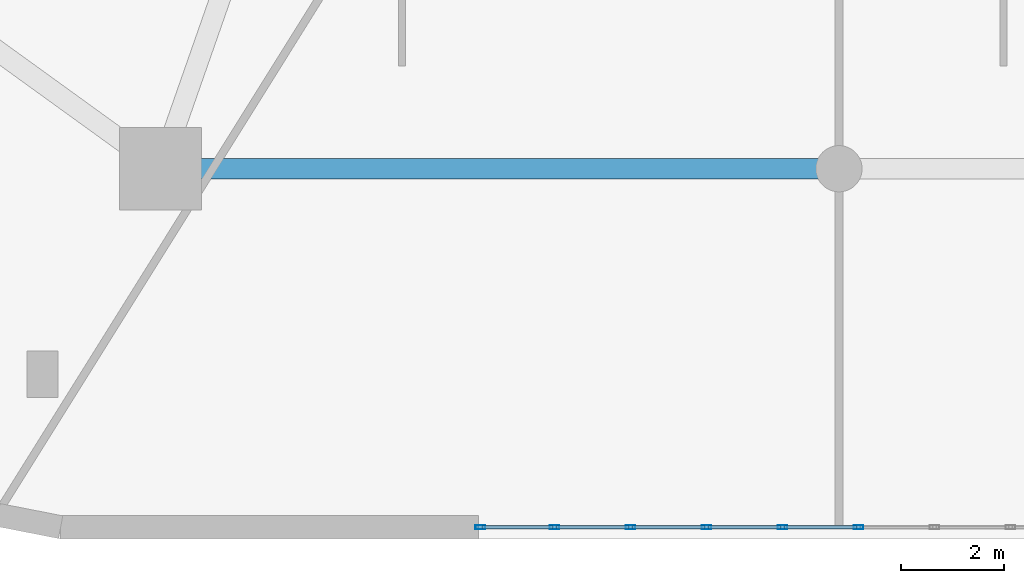
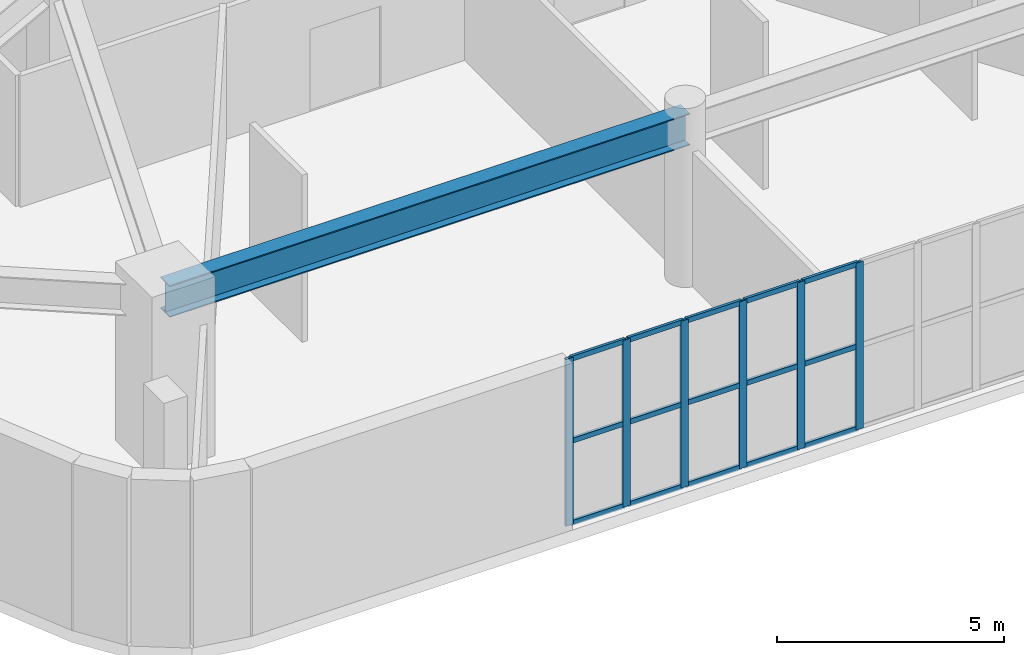
# One storey, part 4 of 17: 21 members, 1 beam, 1 element without a shape of its own.
"""IFC4 building model written with IfcOpenShell, lengths in metres."""

from ifc_helpers import new_model, si_unit, direction, frame, origin, origin_2d, place, context, subcontext, project, spatial, hollow_rectangle, i_section, extrude, material, layer, layer_set, material_profile, profile_set, type_object, element, aggregate, save


model = new_model("IFC4")

# Units and contexts
model_context = context("Model", 3, precision=1e-05, world=origin(), true_north=direction((0.0, 1.0)))
body_context = subcontext(model_context, "Body", "Model", "MODEL_VIEW")
ifc_project = project(units=[si_unit("LENGTHUNIT", "METRE"), si_unit("AREAUNIT", "SQUARE_METRE"), si_unit("VOLUMEUNIT", "CUBIC_METRE"), si_unit("PLANEANGLEUNIT", "RADIAN"), si_unit("MASSUNIT", "GRAM", prefix="KILO")], contexts=[model_context])

# Site, building, storey
site_placement = place(None, origin())
site = spatial("IfcSite", under=ifc_project, at=site_placement, CompositionType="ELEMENT")
building_placement = place(site_placement, origin())
building = spatial("IfcBuilding", under=site, at=building_placement, Name="Kilnhurst Terrace Hotel", CompositionType="ELEMENT")
storey_placement = place(building_placement, frame((0.0, 0.0, 18.60009765625)))
storey = spatial("IfcBuildingStorey", under=building, at=storey_placement, Name="L03", CompositionType="ELEMENT", Elevation=18.60009765625)

# Beam
ifc_material_1 = material(Name="Steel ASTM A992 Grade 50", Category="steel")
ifc_material_profile_1 = material_profile(ifc_material_1, i_section(OverallWidth=0.39990234375, OverallDepth=0.85546875, WebThickness=0.018310546875, FlangeThickness=0.029296875, at=origin_2d()), Name="W33X201")
ifc_profile_set_1 = profile_set([ifc_material_profile_1], Name="Steel ASTM A992 Grade 50")
beam_type = type_object("IfcBeamType", Name="BM-STL-W33X201", PredefinedType="BEAM", material=ifc_profile_set_1)
beam_placement = place(storey_placement, frame((-13.199951171875, -19.5, 4.0498046875), z_axis=(1.0, 0.0, 0.0), x_axis=(0.0, 1.0, 0.0)))
element("IfcBeam", 1, at=beam_placement, inside=storey, type_object=beam_type, Name="L03 Meeting Suite Frame Beam 1", PredefinedType="BEAM", context=body_context, shape_type="SweptSolid", body=[
    extrude(i_section(OverallWidth=0.39990234375, OverallDepth=0.85546875, WebThickness=0.018310546875, FlangeThickness=0.029296875, at=origin_2d()), origin(), (0.0, 0.0, 1.0), 13.199951171875),
])

# Curtain wall, members
ifc_material_2 = material(Name="Anodized Aluminium Alloy 6063-T6 and Low-E Glass", Category="aluminium")
ifc_layer = layer(ifc_material_2, 0.219970703125, Name="Anodized Aluminium Alloy 6063-T6 and Low-E Glass")
ifc_layer_set = layer_set([ifc_layer], Name="Anodized Aluminium Alloy 6063-T6 and Low-E Glass")
curtain_wall_type = type_object("IfcCurtainWallType", Name="CW-POD-TERR", PredefinedType="NOTDEFINED", material=ifc_layer_set)
curtain_wall_placement = place(storey_placement, origin())
curtain_wall = element("IfcCurtainWall", 2, at=curtain_wall_placement, inside=storey, type_object=curtain_wall_type, Name="L03 Curtain Wall CW-L03-F1-1", PredefinedType="NOTDEFINED")
ifc_material_3 = material(Name="Extruded Aluminium Alloy 6063-T6", Category="aluminium")
ifc_material_profile_2 = material_profile(ifc_material_3, hollow_rectangle(XDim=0.070068359375, YDim=0.18994140625, WallThickness=0.00390625, at=origin_2d()), Name="CWM70X190")
ifc_profile_set_2 = profile_set([ifc_material_profile_2], Name="Extruded Aluminium Alloy 6063-T6")
member_type_1 = type_object("IfcMemberType", Name="MEM-CWM70X190", PredefinedType="MULLION", material=ifc_profile_set_2)
member_1_placement = place(storey_placement, frame((-6.9775390625, -26.47509765625, 0.0), z_axis=(0.0, 0.0, 1.0), x_axis=(0.0, 1.0, 0.0)))
member_1 = element("IfcMember", 3, at=member_1_placement, type_object=member_type_1, Name="CWT-2 mullion 1", PredefinedType="MULLION", context=body_context, shape_type="SweptSolid", body=[
    extrude(hollow_rectangle(XDim=0.070068359375, YDim=0.18994140625, WallThickness=0.00390625, at=origin_2d()), origin(), (0.0, 0.0, 1.0), 4.47998046875),
])
member_2_placement = place(storey_placement, frame((-5.533935546875, -26.47509765625, 0.0), z_axis=(0.0, 0.0, 1.0), x_axis=(0.0, 1.0, 0.0)))
member_2 = element("IfcMember", 4, at=member_2_placement, type_object=member_type_1, Name="CWT-2 mullion 2", PredefinedType="MULLION", context=body_context, shape_type="SweptSolid", body=[
    extrude(hollow_rectangle(XDim=0.070068359375, YDim=0.18994140625, WallThickness=0.00390625, at=origin_2d()), origin(), (0.0, 0.0, 1.0), 4.47998046875),
])
member_3_placement = place(storey_placement, frame((-4.05517578125, -26.47509765625, 0.0), z_axis=(0.0, 0.0, 1.0), x_axis=(0.0, 1.0, 0.0)))
member_3 = element("IfcMember", 5, at=member_3_placement, type_object=member_type_1, Name="CWT-2 mullion 3", PredefinedType="MULLION", context=body_context, shape_type="SweptSolid", body=[
    extrude(hollow_rectangle(XDim=0.070068359375, YDim=0.18994140625, WallThickness=0.00390625, at=origin_2d()), origin(), (0.0, 0.0, 1.0), 4.47998046875),
])
member_4_placement = place(storey_placement, frame((-2.576416015625, -26.47509765625, 0.0), z_axis=(0.0, 0.0, 1.0), x_axis=(0.0, 1.0, 0.0)))
member_4 = element("IfcMember", 6, at=member_4_placement, type_object=member_type_1, Name="CWT-2 mullion 4", PredefinedType="MULLION", context=body_context, shape_type="SweptSolid", body=[
    extrude(hollow_rectangle(XDim=0.070068359375, YDim=0.18994140625, WallThickness=0.00390625, at=origin_2d()), origin(), (0.0, 0.0, 1.0), 4.47998046875),
])
member_5_placement = place(storey_placement, frame((-1.09765625, -26.47509765625, 0.0), z_axis=(0.0, 0.0, 1.0), x_axis=(0.0, 1.0, 0.0)))
member_5 = element("IfcMember", 7, at=member_5_placement, type_object=member_type_1, Name="CWT-2 mullion 5", PredefinedType="MULLION", context=body_context, shape_type="SweptSolid", body=[
    extrude(hollow_rectangle(XDim=0.070068359375, YDim=0.18994140625, WallThickness=0.00390625, at=origin_2d()), origin(), (0.0, 0.0, 1.0), 4.47998046875),
])
member_6_placement = place(storey_placement, frame((0.381103515625, -26.47509765625, 0.0), z_axis=(0.0, 0.0, 1.0), x_axis=(0.0, 1.0, 0.0)))
member_6 = element("IfcMember", 8, at=member_6_placement, type_object=member_type_1, Name="CWT-2 mullion 6", PredefinedType="MULLION", context=body_context, shape_type="SweptSolid", body=[
    extrude(hollow_rectangle(XDim=0.070068359375, YDim=0.18994140625, WallThickness=0.00390625, at=origin_2d()), origin(), (0.0, 0.0, 1.0), 4.47998046875),
])
ifc_material_profile_3 = material_profile(ifc_material_3, hollow_rectangle(XDim=0.070068359375, YDim=0.135009765625, WallThickness=0.00390625, at=origin_2d()), Name="CWT70X135")
ifc_profile_set_3 = profile_set([ifc_material_profile_3], Name="Extruded Aluminium Alloy 6063-T6")
member_type_2 = type_object("IfcMemberType", Name="MEM-CWT70X135", PredefinedType="USERDEFINED", material=ifc_profile_set_3)
member_7_placement = place(storey_placement, frame((-6.942626953125, -26.47509765625, 0.034912109375), z_axis=(1.0, 0.0, 0.0), x_axis=(0.0, 1.0, 0.0)))
member_7 = element("IfcMember", 9, at=member_7_placement, type_object=member_type_2, Name="CWT-2 transom 1.1", ObjectType="TRANSOM", PredefinedType="USERDEFINED", context=body_context, shape_type="SweptSolid", body=[
    extrude(hollow_rectangle(XDim=0.070068359375, YDim=0.135009765625, WallThickness=0.00390625, at=origin_2d()), origin(), (0.0, 0.0, 1.0), 1.373779296875),
])
member_8_placement = place(storey_placement, frame((-6.942626953125, -26.47509765625, 2.239990234375), z_axis=(1.0, 0.0, 0.0), x_axis=(0.0, 1.0, 0.0)))
member_8 = element("IfcMember", 10, at=member_8_placement, type_object=member_type_2, Name="CWT-2 transom 1.2", ObjectType="TRANSOM", PredefinedType="USERDEFINED", context=body_context, shape_type="SweptSolid", body=[
    extrude(hollow_rectangle(XDim=0.070068359375, YDim=0.135009765625, WallThickness=0.00390625, at=origin_2d()), origin(), (0.0, 0.0, 1.0), 1.373779296875),
])
member_9_placement = place(storey_placement, frame((-6.942626953125, -26.47509765625, 4.44482421875), z_axis=(1.0, 0.0, 0.0), x_axis=(0.0, 1.0, 0.0)))
member_9 = element("IfcMember", 11, at=member_9_placement, type_object=member_type_2, Name="CWT-2 transom 1.3", ObjectType="TRANSOM", PredefinedType="USERDEFINED", context=body_context, shape_type="SweptSolid", body=[
    extrude(hollow_rectangle(XDim=0.070068359375, YDim=0.135009765625, WallThickness=0.00390625, at=origin_2d()), origin(), (0.0, 0.0, 1.0), 1.373779296875),
])
member_10_placement = place(storey_placement, frame((-5.498779296875, -26.47509765625, 0.034912109375), z_axis=(1.0, 0.0, 0.0), x_axis=(0.0, 1.0, 0.0)))
member_10 = element("IfcMember", 12, at=member_10_placement, type_object=member_type_2, Name="CWT-2 transom 2.1", ObjectType="TRANSOM", PredefinedType="USERDEFINED", context=body_context, shape_type="SweptSolid", body=[
    extrude(hollow_rectangle(XDim=0.070068359375, YDim=0.135009765625, WallThickness=0.00390625, at=origin_2d()), origin(), (0.0, 0.0, 1.0), 1.40869140625),
])
member_11_placement = place(storey_placement, frame((-5.498779296875, -26.47509765625, 2.239990234375), z_axis=(1.0, 0.0, 0.0), x_axis=(0.0, 1.0, 0.0)))
member_11 = element("IfcMember", 13, at=member_11_placement, type_object=member_type_2, Name="CWT-2 transom 2.2", ObjectType="TRANSOM", PredefinedType="USERDEFINED", context=body_context, shape_type="SweptSolid", body=[
    extrude(hollow_rectangle(XDim=0.070068359375, YDim=0.135009765625, WallThickness=0.00390625, at=origin_2d()), origin(), (0.0, 0.0, 1.0), 1.40869140625),
])
member_12_placement = place(storey_placement, frame((-5.498779296875, -26.47509765625, 4.44482421875), z_axis=(1.0, 0.0, 0.0), x_axis=(0.0, 1.0, 0.0)))
member_12 = element("IfcMember", 14, at=member_12_placement, type_object=member_type_2, Name="CWT-2 transom 2.3", ObjectType="TRANSOM", PredefinedType="USERDEFINED", context=body_context, shape_type="SweptSolid", body=[
    extrude(hollow_rectangle(XDim=0.070068359375, YDim=0.135009765625, WallThickness=0.00390625, at=origin_2d()), origin(), (0.0, 0.0, 1.0), 1.40869140625),
])
member_13_placement = place(storey_placement, frame((-4.020263671875, -26.47509765625, 0.034912109375), z_axis=(1.0, 0.0, 0.0), x_axis=(0.0, 1.0, 0.0)))
member_13 = element("IfcMember", 15, at=member_13_placement, type_object=member_type_2, Name="CWT-2 transom 3.1", ObjectType="TRANSOM", PredefinedType="USERDEFINED", context=body_context, shape_type="SweptSolid", body=[
    extrude(hollow_rectangle(XDim=0.070068359375, YDim=0.135009765625, WallThickness=0.00390625, at=origin_2d()), origin(), (0.0, 0.0, 1.0), 1.408935546875),
])
member_14_placement = place(storey_placement, frame((-4.020263671875, -26.47509765625, 2.239990234375), z_axis=(1.0, 0.0, 0.0), x_axis=(0.0, 1.0, 0.0)))
member_14 = element("IfcMember", 16, at=member_14_placement, type_object=member_type_2, Name="CWT-2 transom 3.2", ObjectType="TRANSOM", PredefinedType="USERDEFINED", context=body_context, shape_type="SweptSolid", body=[
    extrude(hollow_rectangle(XDim=0.070068359375, YDim=0.135009765625, WallThickness=0.00390625, at=origin_2d()), origin(), (0.0, 0.0, 1.0), 1.408935546875),
])
member_15_placement = place(storey_placement, frame((-4.020263671875, -26.47509765625, 4.44482421875), z_axis=(1.0, 0.0, 0.0), x_axis=(0.0, 1.0, 0.0)))
member_15 = element("IfcMember", 17, at=member_15_placement, type_object=member_type_2, Name="CWT-2 transom 3.3", ObjectType="TRANSOM", PredefinedType="USERDEFINED", context=body_context, shape_type="SweptSolid", body=[
    extrude(hollow_rectangle(XDim=0.070068359375, YDim=0.135009765625, WallThickness=0.00390625, at=origin_2d()), origin(), (0.0, 0.0, 1.0), 1.408935546875),
])
member_16_placement = place(storey_placement, frame((-2.54150390625, -26.47509765625, 0.034912109375), z_axis=(1.0, 0.0, 0.0), x_axis=(0.0, 1.0, 0.0)))
member_16 = element("IfcMember", 18, at=member_16_placement, type_object=member_type_2, Name="CWT-2 transom 4.1", ObjectType="TRANSOM", PredefinedType="USERDEFINED", context=body_context, shape_type="SweptSolid", body=[
    extrude(hollow_rectangle(XDim=0.070068359375, YDim=0.135009765625, WallThickness=0.00390625, at=origin_2d()), origin(), (0.0, 0.0, 1.0), 1.40869140625),
])
member_17_placement = place(storey_placement, frame((-2.54150390625, -26.47509765625, 2.239990234375), z_axis=(1.0, 0.0, 0.0), x_axis=(0.0, 1.0, 0.0)))
member_17 = element("IfcMember", 19, at=member_17_placement, type_object=member_type_2, Name="CWT-2 transom 4.2", ObjectType="TRANSOM", PredefinedType="USERDEFINED", context=body_context, shape_type="SweptSolid", body=[
    extrude(hollow_rectangle(XDim=0.070068359375, YDim=0.135009765625, WallThickness=0.00390625, at=origin_2d()), origin(), (0.0, 0.0, 1.0), 1.40869140625),
])
member_18_placement = place(storey_placement, frame((-2.54150390625, -26.47509765625, 4.44482421875), z_axis=(1.0, 0.0, 0.0), x_axis=(0.0, 1.0, 0.0)))
member_18 = element("IfcMember", 20, at=member_18_placement, type_object=member_type_2, Name="CWT-2 transom 4.3", ObjectType="TRANSOM", PredefinedType="USERDEFINED", context=body_context, shape_type="SweptSolid", body=[
    extrude(hollow_rectangle(XDim=0.070068359375, YDim=0.135009765625, WallThickness=0.00390625, at=origin_2d()), origin(), (0.0, 0.0, 1.0), 1.40869140625),
])
member_19_placement = place(storey_placement, frame((-1.062744140625, -26.47509765625, 0.034912109375), z_axis=(1.0, 0.0, 0.0), x_axis=(0.0, 1.0, 0.0)))
member_19 = element("IfcMember", 21, at=member_19_placement, type_object=member_type_2, Name="CWT-2 transom 5.1", ObjectType="TRANSOM", PredefinedType="USERDEFINED", context=body_context, shape_type="SweptSolid", body=[
    extrude(hollow_rectangle(XDim=0.070068359375, YDim=0.135009765625, WallThickness=0.00390625, at=origin_2d()), origin(), (0.0, 0.0, 1.0), 1.40869140625),
])
member_20_placement = place(storey_placement, frame((-1.062744140625, -26.47509765625, 2.239990234375), z_axis=(1.0, 0.0, 0.0), x_axis=(0.0, 1.0, 0.0)))
member_20 = element("IfcMember", 22, at=member_20_placement, type_object=member_type_2, Name="CWT-2 transom 5.2", ObjectType="TRANSOM", PredefinedType="USERDEFINED", context=body_context, shape_type="SweptSolid", body=[
    extrude(hollow_rectangle(XDim=0.070068359375, YDim=0.135009765625, WallThickness=0.00390625, at=origin_2d()), origin(), (0.0, 0.0, 1.0), 1.40869140625),
])
member_21_placement = place(storey_placement, frame((-1.062744140625, -26.47509765625, 4.44482421875), z_axis=(1.0, 0.0, 0.0), x_axis=(0.0, 1.0, 0.0)))
member_21 = element("IfcMember", 23, at=member_21_placement, type_object=member_type_2, Name="CWT-2 transom 5.3", ObjectType="TRANSOM", PredefinedType="USERDEFINED", context=body_context, shape_type="SweptSolid", body=[
    extrude(hollow_rectangle(XDim=0.070068359375, YDim=0.135009765625, WallThickness=0.00390625, at=origin_2d()), origin(), (0.0, 0.0, 1.0), 1.40869140625),
])
aggregate(curtain_wall, [member_1, member_2, member_3, member_4, member_5, member_6, member_7, member_8, member_9, member_10, member_11, member_12, member_13, member_14, member_15, member_16, member_17, member_18, member_19, member_20, member_21])

save(model, "model.ifc")
